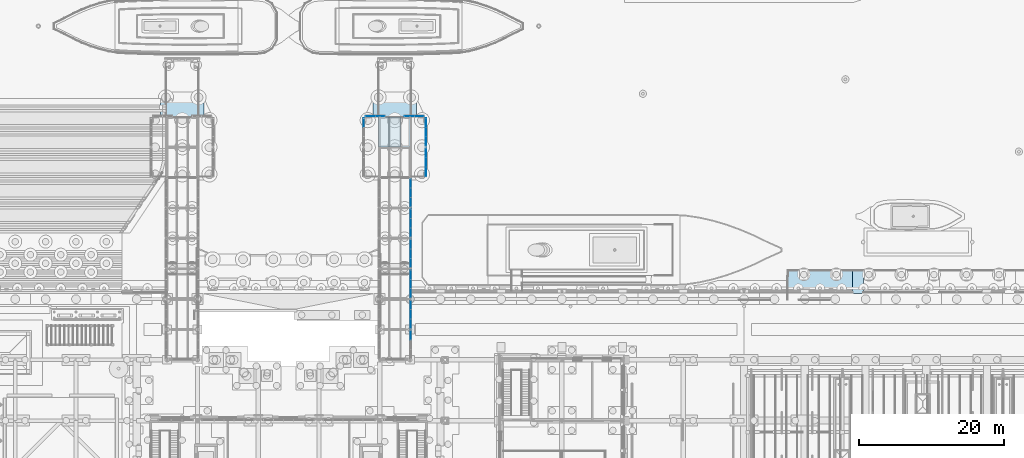
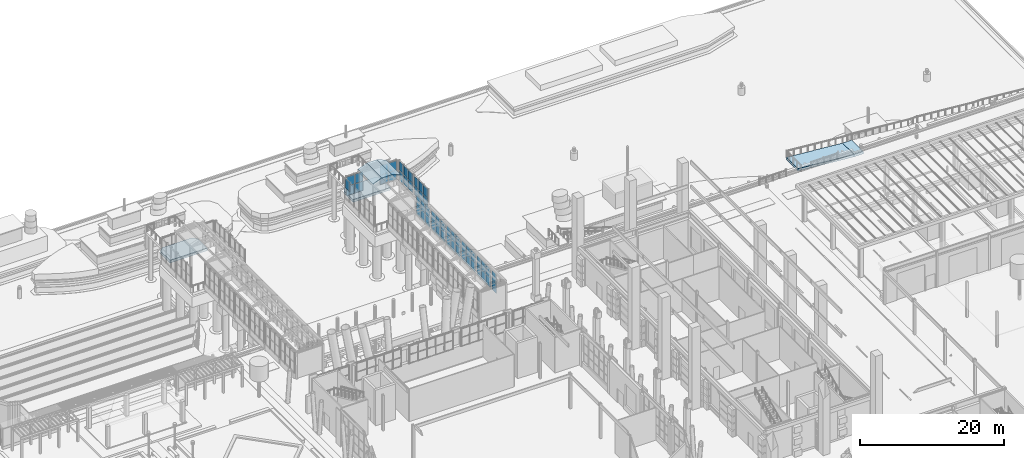
# One storey, part 86 of 222: 53 plates, 7 slabs, 11 elements without a shape of their own.
"""IFC4 building model written with IfcOpenShell, lengths in metres."""

from ifc_helpers import new_model, si_unit, direction, frame, origin, origin_2d, place, context, subcontext, project, spatial, polyline, rectangle, outline, extrude, material, layer, layer_set, type_object, element, aggregate, save


model = new_model("IFC4")

# Units and contexts
model_context = context("Model", 3, precision=1e-05, world=origin(), true_north=direction((0.0, 1.0)))
body_context = subcontext(model_context, "Body", "Model", "MODEL_VIEW")
ifc_project = project(units=[si_unit("LENGTHUNIT", "METRE"), si_unit("AREAUNIT", "SQUARE_METRE"), si_unit("VOLUMEUNIT", "CUBIC_METRE"), si_unit("PLANEANGLEUNIT", "RADIAN"), si_unit("MASSUNIT", "GRAM", prefix="KILO")], contexts=[model_context])

# Site, building, storey
site_placement = place(None, origin())
site = spatial("IfcSite", under=ifc_project, at=site_placement, CompositionType="ELEMENT")
building_placement = place(site_placement, origin())
building = spatial("IfcBuilding", under=site, at=building_placement, Name="Sava Quay Ferry Terminal", CompositionType="ELEMENT")
storey_placement = place(building_placement, origin())
storey = spatial("IfcBuildingStorey", under=building, at=storey_placement, Name="L00", CompositionType="ELEMENT", Elevation=0.0)

# Curtain wall, plates
ifc_material_1 = material(Name="Aluminium and glass curtain wall, double glazed", Category="aluminium")
curtain_wall_type = type_object("IfcCurtainWallType", Name="Curtain wall CW-B gallery", PredefinedType="NOTDEFINED", material=ifc_material_1)
curtain_wall_1_placement = place(storey_placement, origin())
curtain_wall_1 = element("IfcCurtainWall", 1, at=curtain_wall_1_placement, inside=storey, type_object=curtain_wall_type, Name="Curtain wall B2-E L00 bay 1", PredefinedType="NOTDEFINED")
ifc_material_2 = material(Name="Laminated glass, double glazed unit", Category="glass")
ifc_layer_1 = layer(ifc_material_2, 0.02392578125)
ifc_layer_set_1 = layer_set([ifc_layer_1], Name="Laminated glass, double glazed unit")
plate_type = type_object("IfcPlateType", Name="Glass panel 24 double", PredefinedType="CURTAIN_PANEL", material=ifc_layer_set_1)
plate_1_placement = place(storey_placement, frame((79.89990234375, 112.58740234375, 0.9501953125), z_axis=(0.0, 0.0, 1.0), x_axis=(0.0, 1.0, 0.0)))
plate_1 = element("IfcPlate", 2, at=plate_1_placement, type_object=plate_type, Name="CW19 panel 3.1", PredefinedType="CURTAIN_PANEL", context=body_context, shape_type="SweptSolid", body=[
    extrude(rectangle(XDim=1.22509765625, YDim=0.02392578125, at=origin_2d()), origin(), (0.0, 0.0, 1.0), 1.574951171875),
])
plate_2_placement = place(storey_placement, frame((79.89990234375, 112.58740234375, 2.5751953125), z_axis=(0.0, 0.0, 1.0), x_axis=(0.0, 1.0, 0.0)))
plate_2 = element("IfcPlate", 3, at=plate_2_placement, type_object=plate_type, Name="CW19 panel 3.2", PredefinedType="CURTAIN_PANEL", context=body_context, shape_type="SweptSolid", body=[
    extrude(rectangle(XDim=1.22509765625, YDim=0.02392578125, at=origin_2d()), origin(), (0.0, 0.0, 1.0), 1.574951171875),
])
aggregate(curtain_wall_1, [plate_1, plate_2])

curtain_wall_2_placement = place(storey_placement, origin())
curtain_wall_2 = element("IfcCurtainWall", 4, at=curtain_wall_2_placement, inside=storey, type_object=curtain_wall_type, Name="Curtain wall B2-E L00 bay 2", PredefinedType="NOTDEFINED")
plate_3_placement = place(storey_placement, frame((79.89990234375, 114.21240234375, 0.9501953125), z_axis=(0.0, 0.0, 1.0), x_axis=(0.0, 1.0, 0.0)))
plate_3 = element("IfcPlate", 5, at=plate_3_placement, type_object=plate_type, Name="CW20 panel 1.1", PredefinedType="CURTAIN_PANEL", context=body_context, shape_type="SweptSolid", body=[
    extrude(rectangle(XDim=1.22509765625, YDim=0.02392578125, at=origin_2d()), origin(), (0.0, 0.0, 1.0), 1.574951171875),
])
plate_4_placement = place(storey_placement, frame((79.89990234375, 114.21240234375, 2.5751953125), z_axis=(0.0, 0.0, 1.0), x_axis=(0.0, 1.0, 0.0)))
plate_4 = element("IfcPlate", 6, at=plate_4_placement, type_object=plate_type, Name="CW20 panel 1.2", PredefinedType="CURTAIN_PANEL", context=body_context, shape_type="SweptSolid", body=[
    extrude(rectangle(XDim=1.22509765625, YDim=0.02392578125, at=origin_2d()), origin(), (0.0, 0.0, 1.0), 1.574951171875),
])
plate_5_placement = place(storey_placement, frame((79.89990234375, 115.5, 0.9501953125), z_axis=(0.0, 0.0, 1.0), x_axis=(0.0, 1.0, 0.0)))
plate_5 = element("IfcPlate", 7, at=plate_5_placement, type_object=plate_type, Name="CW20 panel 2.1", PredefinedType="CURTAIN_PANEL", context=body_context, shape_type="SweptSolid", body=[
    extrude(rectangle(XDim=1.25, YDim=0.02392578125, at=origin_2d()), origin(), (0.0, 0.0, 1.0), 1.574951171875),
])
plate_6_placement = place(storey_placement, frame((79.89990234375, 115.5, 2.5751953125), z_axis=(0.0, 0.0, 1.0), x_axis=(0.0, 1.0, 0.0)))
plate_6 = element("IfcPlate", 8, at=plate_6_placement, type_object=plate_type, Name="CW20 panel 2.2", PredefinedType="CURTAIN_PANEL", context=body_context, shape_type="SweptSolid", body=[
    extrude(rectangle(XDim=1.25, YDim=0.02392578125, at=origin_2d()), origin(), (0.0, 0.0, 1.0), 1.574951171875),
])
plate_7_placement = place(storey_placement, frame((79.89990234375, 116.78759765625, 0.9501953125), z_axis=(0.0, 0.0, 1.0), x_axis=(0.0, 1.0, 0.0)))
plate_7 = element("IfcPlate", 9, at=plate_7_placement, type_object=plate_type, Name="CW20 panel 3.1", PredefinedType="CURTAIN_PANEL", context=body_context, shape_type="SweptSolid", body=[
    extrude(rectangle(XDim=1.22509765625, YDim=0.02392578125, at=origin_2d()), origin(), (0.0, 0.0, 1.0), 1.574951171875),
])
plate_8_placement = place(storey_placement, frame((79.89990234375, 116.78759765625, 2.5751953125), z_axis=(0.0, 0.0, 1.0), x_axis=(0.0, 1.0, 0.0)))
plate_8 = element("IfcPlate", 10, at=plate_8_placement, type_object=plate_type, Name="CW20 panel 3.2", PredefinedType="CURTAIN_PANEL", context=body_context, shape_type="SweptSolid", body=[
    extrude(rectangle(XDim=1.22509765625, YDim=0.02392578125, at=origin_2d()), origin(), (0.0, 0.0, 1.0), 1.574951171875),
])
aggregate(curtain_wall_2, [plate_3, plate_4, plate_5, plate_6, plate_7, plate_8])

curtain_wall_3_placement = place(storey_placement, origin())
curtain_wall_3 = element("IfcCurtainWall", 11, at=curtain_wall_3_placement, inside=storey, type_object=curtain_wall_type, Name="Curtain wall B2-E L00 bay 3", PredefinedType="NOTDEFINED")
plate_9_placement = place(storey_placement, frame((79.89990234375, 118.41259765625, 0.9501953125), z_axis=(0.0, 0.0, 1.0), x_axis=(0.0, 1.0, 0.0)))
plate_9 = element("IfcPlate", 12, at=plate_9_placement, type_object=plate_type, Name="CW21 panel 1.1", PredefinedType="CURTAIN_PANEL", context=body_context, shape_type="SweptSolid", body=[
    extrude(rectangle(XDim=1.22509765625, YDim=0.02392578125, at=origin_2d()), origin(), (0.0, 0.0, 1.0), 1.574951171875),
])
plate_10_placement = place(storey_placement, frame((79.89990234375, 118.41259765625, 2.5751953125), z_axis=(0.0, 0.0, 1.0), x_axis=(0.0, 1.0, 0.0)))
plate_10 = element("IfcPlate", 13, at=plate_10_placement, type_object=plate_type, Name="CW21 panel 1.2", PredefinedType="CURTAIN_PANEL", context=body_context, shape_type="SweptSolid", body=[
    extrude(rectangle(XDim=1.22509765625, YDim=0.02392578125, at=origin_2d()), origin(), (0.0, 0.0, 1.0), 1.574951171875),
])
plate_11_placement = place(storey_placement, frame((79.89990234375, 119.699951171875, 0.9501953125), z_axis=(0.0, 0.0, 1.0), x_axis=(0.0, 1.0, 0.0)))
plate_11 = element("IfcPlate", 14, at=plate_11_placement, type_object=plate_type, Name="CW21 panel 2.1", PredefinedType="CURTAIN_PANEL", context=body_context, shape_type="SweptSolid", body=[
    extrude(rectangle(XDim=1.25, YDim=0.02392578125, at=origin_2d()), origin(), (0.0, 0.0, 1.0), 1.574951171875),
])
plate_12_placement = place(storey_placement, frame((79.89990234375, 119.699951171875, 2.5751953125), z_axis=(0.0, 0.0, 1.0), x_axis=(0.0, 1.0, 0.0)))
plate_12 = element("IfcPlate", 15, at=plate_12_placement, type_object=plate_type, Name="CW21 panel 2.2", PredefinedType="CURTAIN_PANEL", context=body_context, shape_type="SweptSolid", body=[
    extrude(rectangle(XDim=1.25, YDim=0.02392578125, at=origin_2d()), origin(), (0.0, 0.0, 1.0), 1.574951171875),
])
plate_13_placement = place(storey_placement, frame((79.89990234375, 120.987548828125, 0.9501953125), z_axis=(0.0, 0.0, 1.0), x_axis=(0.0, 1.0, 0.0)))
plate_13 = element("IfcPlate", 16, at=plate_13_placement, type_object=plate_type, Name="CW21 panel 3.1", PredefinedType="CURTAIN_PANEL", context=body_context, shape_type="SweptSolid", body=[
    extrude(rectangle(XDim=1.22509765625, YDim=0.02392578125, at=origin_2d()), origin(), (0.0, 0.0, 1.0), 1.574951171875),
])
plate_14_placement = place(storey_placement, frame((79.89990234375, 120.987548828125, 2.5751953125), z_axis=(0.0, 0.0, 1.0), x_axis=(0.0, 1.0, 0.0)))
plate_14 = element("IfcPlate", 17, at=plate_14_placement, type_object=plate_type, Name="CW21 panel 3.2", PredefinedType="CURTAIN_PANEL", context=body_context, shape_type="SweptSolid", body=[
    extrude(rectangle(XDim=1.22509765625, YDim=0.02392578125, at=origin_2d()), origin(), (0.0, 0.0, 1.0), 1.574951171875),
])
aggregate(curtain_wall_3, [plate_9, plate_10, plate_11, plate_12, plate_13, plate_14])

curtain_wall_4_placement = place(storey_placement, origin())
curtain_wall_4 = element("IfcCurtainWall", 18, at=curtain_wall_4_placement, inside=storey, type_object=curtain_wall_type, Name="Curtain wall B2-E L00 bay 4", PredefinedType="NOTDEFINED")
plate_15_placement = place(storey_placement, frame((79.89990234375, 122.612548828125, 0.9501953125), z_axis=(0.0, 0.0, 1.0), x_axis=(0.0, 1.0, 0.0)))
plate_15 = element("IfcPlate", 19, at=plate_15_placement, type_object=plate_type, Name="CW22 panel 1.1", PredefinedType="CURTAIN_PANEL", context=body_context, shape_type="SweptSolid", body=[
    extrude(rectangle(XDim=1.22509765625, YDim=0.02392578125, at=origin_2d()), origin(), (0.0, 0.0, 1.0), 1.574951171875),
])
plate_16_placement = place(storey_placement, frame((79.89990234375, 122.612548828125, 2.5751953125), z_axis=(0.0, 0.0, 1.0), x_axis=(0.0, 1.0, 0.0)))
plate_16 = element("IfcPlate", 20, at=plate_16_placement, type_object=plate_type, Name="CW22 panel 1.2", PredefinedType="CURTAIN_PANEL", context=body_context, shape_type="SweptSolid", body=[
    extrude(rectangle(XDim=1.22509765625, YDim=0.02392578125, at=origin_2d()), origin(), (0.0, 0.0, 1.0), 1.574951171875),
])
plate_17_placement = place(storey_placement, frame((79.89990234375, 123.89990234375, 0.9501953125), z_axis=(0.0, 0.0, 1.0), x_axis=(0.0, 1.0, 0.0)))
plate_17 = element("IfcPlate", 21, at=plate_17_placement, type_object=plate_type, Name="CW22 panel 2.1", PredefinedType="CURTAIN_PANEL", context=body_context, shape_type="SweptSolid", body=[
    extrude(rectangle(XDim=1.25, YDim=0.02392578125, at=origin_2d()), origin(), (0.0, 0.0, 1.0), 1.574951171875),
])
plate_18_placement = place(storey_placement, frame((79.89990234375, 123.89990234375, 2.5751953125), z_axis=(0.0, 0.0, 1.0), x_axis=(0.0, 1.0, 0.0)))
plate_18 = element("IfcPlate", 22, at=plate_18_placement, type_object=plate_type, Name="CW22 panel 2.2", PredefinedType="CURTAIN_PANEL", context=body_context, shape_type="SweptSolid", body=[
    extrude(rectangle(XDim=1.25, YDim=0.02392578125, at=origin_2d()), origin(), (0.0, 0.0, 1.0), 1.574951171875),
])
plate_19_placement = place(storey_placement, frame((79.89990234375, 125.1875, 0.9501953125), z_axis=(0.0, 0.0, 1.0), x_axis=(0.0, 1.0, 0.0)))
plate_19 = element("IfcPlate", 23, at=plate_19_placement, type_object=plate_type, Name="CW22 panel 3.1", PredefinedType="CURTAIN_PANEL", context=body_context, shape_type="SweptSolid", body=[
    extrude(rectangle(XDim=1.22509765625, YDim=0.02392578125, at=origin_2d()), origin(), (0.0, 0.0, 1.0), 1.574951171875),
])
plate_20_placement = place(storey_placement, frame((79.89990234375, 125.1875, 2.5751953125), z_axis=(0.0, 0.0, 1.0), x_axis=(0.0, 1.0, 0.0)))
plate_20 = element("IfcPlate", 24, at=plate_20_placement, type_object=plate_type, Name="CW22 panel 3.2", PredefinedType="CURTAIN_PANEL", context=body_context, shape_type="SweptSolid", body=[
    extrude(rectangle(XDim=1.22509765625, YDim=0.02392578125, at=origin_2d()), origin(), (0.0, 0.0, 1.0), 1.574951171875),
])
aggregate(curtain_wall_4, [plate_15, plate_16, plate_17, plate_18, plate_19, plate_20])

curtain_wall_5_placement = place(storey_placement, origin())
curtain_wall_5 = element("IfcCurtainWall", 25, at=curtain_wall_5_placement, inside=storey, type_object=curtain_wall_type, Name="Curtain wall B2-E L00 bay 5", PredefinedType="NOTDEFINED")
plate_21_placement = place(storey_placement, frame((79.89990234375, 126.8125, 0.9501953125), z_axis=(0.0, 0.0, 1.0), x_axis=(0.0, 1.0, 0.0)))
plate_21 = element("IfcPlate", 26, at=plate_21_placement, type_object=plate_type, Name="CW23 panel 1.1", PredefinedType="CURTAIN_PANEL", context=body_context, shape_type="SweptSolid", body=[
    extrude(rectangle(XDim=1.22509765625, YDim=0.02392578125, at=origin_2d()), origin(), (0.0, 0.0, 1.0), 1.574951171875),
])
plate_22_placement = place(storey_placement, frame((79.89990234375, 126.8125, 2.5751953125), z_axis=(0.0, 0.0, 1.0), x_axis=(0.0, 1.0, 0.0)))
plate_22 = element("IfcPlate", 27, at=plate_22_placement, type_object=plate_type, Name="CW23 panel 1.2", PredefinedType="CURTAIN_PANEL", context=body_context, shape_type="SweptSolid", body=[
    extrude(rectangle(XDim=1.22509765625, YDim=0.02392578125, at=origin_2d()), origin(), (0.0, 0.0, 1.0), 1.574951171875),
])
plate_23_placement = place(storey_placement, frame((79.89990234375, 128.10009765625, 0.9501953125), z_axis=(0.0, 0.0, 1.0), x_axis=(0.0, 1.0, 0.0)))
plate_23 = element("IfcPlate", 28, at=plate_23_placement, type_object=plate_type, Name="CW23 panel 2.1", PredefinedType="CURTAIN_PANEL", context=body_context, shape_type="SweptSolid", body=[
    extrude(rectangle(XDim=1.25, YDim=0.02392578125, at=origin_2d()), origin(), (0.0, 0.0, 1.0), 1.574951171875),
])
plate_24_placement = place(storey_placement, frame((79.89990234375, 128.10009765625, 2.5751953125), z_axis=(0.0, 0.0, 1.0), x_axis=(0.0, 1.0, 0.0)))
plate_24 = element("IfcPlate", 29, at=plate_24_placement, type_object=plate_type, Name="CW23 panel 2.2", PredefinedType="CURTAIN_PANEL", context=body_context, shape_type="SweptSolid", body=[
    extrude(rectangle(XDim=1.25, YDim=0.02392578125, at=origin_2d()), origin(), (0.0, 0.0, 1.0), 1.574951171875),
])
plate_25_placement = place(storey_placement, frame((79.89990234375, 129.387451171875, 0.9501953125), z_axis=(0.0, 0.0, 1.0), x_axis=(0.0, 1.0, 0.0)))
plate_25 = element("IfcPlate", 30, at=plate_25_placement, type_object=plate_type, Name="CW23 panel 3.1", PredefinedType="CURTAIN_PANEL", context=body_context, shape_type="SweptSolid", body=[
    extrude(rectangle(XDim=1.22509765625, YDim=0.02392578125, at=origin_2d()), origin(), (0.0, 0.0, 1.0), 1.574951171875),
])
plate_26_placement = place(storey_placement, frame((79.89990234375, 129.387451171875, 2.5751953125), z_axis=(0.0, 0.0, 1.0), x_axis=(0.0, 1.0, 0.0)))
plate_26 = element("IfcPlate", 31, at=plate_26_placement, type_object=plate_type, Name="CW23 panel 3.2", PredefinedType="CURTAIN_PANEL", context=body_context, shape_type="SweptSolid", body=[
    extrude(rectangle(XDim=1.22509765625, YDim=0.02392578125, at=origin_2d()), origin(), (0.0, 0.0, 1.0), 1.574951171875),
])
aggregate(curtain_wall_5, [plate_21, plate_22, plate_23, plate_24, plate_25, plate_26])

curtain_wall_6_placement = place(storey_placement, origin())
curtain_wall_6 = element("IfcCurtainWall", 32, at=curtain_wall_6_placement, inside=storey, type_object=curtain_wall_type, Name="Curtain wall B2-E L00 bay 6", PredefinedType="NOTDEFINED")
plate_27_placement = place(storey_placement, frame((79.89990234375, 131.012451171875, 0.9501953125), z_axis=(0.0, 0.0, 1.0), x_axis=(0.0, 1.0, 0.0)))
plate_27 = element("IfcPlate", 33, at=plate_27_placement, type_object=plate_type, Name="CW24 panel 1.1", PredefinedType="CURTAIN_PANEL", context=body_context, shape_type="SweptSolid", body=[
    extrude(rectangle(XDim=1.22509765625, YDim=0.02392578125, at=origin_2d()), origin(), (0.0, 0.0, 1.0), 1.574951171875),
])
plate_28_placement = place(storey_placement, frame((79.89990234375, 131.012451171875, 2.5751953125), z_axis=(0.0, 0.0, 1.0), x_axis=(0.0, 1.0, 0.0)))
plate_28 = element("IfcPlate", 34, at=plate_28_placement, type_object=plate_type, Name="CW24 panel 1.2", PredefinedType="CURTAIN_PANEL", context=body_context, shape_type="SweptSolid", body=[
    extrude(rectangle(XDim=1.22509765625, YDim=0.02392578125, at=origin_2d()), origin(), (0.0, 0.0, 1.0), 1.574951171875),
])
plate_29_placement = place(storey_placement, frame((79.89990234375, 132.300048828125, 0.9501953125), z_axis=(0.0, 0.0, 1.0), x_axis=(0.0, 1.0, 0.0)))
plate_29 = element("IfcPlate", 35, at=plate_29_placement, type_object=plate_type, Name="CW24 panel 2.1", PredefinedType="CURTAIN_PANEL", context=body_context, shape_type="SweptSolid", body=[
    extrude(rectangle(XDim=1.25, YDim=0.02392578125, at=origin_2d()), origin(), (0.0, 0.0, 1.0), 1.574951171875),
])
plate_30_placement = place(storey_placement, frame((79.89990234375, 132.300048828125, 2.5751953125), z_axis=(0.0, 0.0, 1.0), x_axis=(0.0, 1.0, 0.0)))
plate_30 = element("IfcPlate", 36, at=plate_30_placement, type_object=plate_type, Name="CW24 panel 2.2", PredefinedType="CURTAIN_PANEL", context=body_context, shape_type="SweptSolid", body=[
    extrude(rectangle(XDim=1.25, YDim=0.02392578125, at=origin_2d()), origin(), (0.0, 0.0, 1.0), 1.574951171875),
])
plate_31_placement = place(storey_placement, frame((79.89990234375, 133.58740234375, 0.9501953125), z_axis=(0.0, 0.0, 1.0), x_axis=(0.0, 1.0, 0.0)))
plate_31 = element("IfcPlate", 37, at=plate_31_placement, type_object=plate_type, Name="CW24 panel 3.1", PredefinedType="CURTAIN_PANEL", context=body_context, shape_type="SweptSolid", body=[
    extrude(rectangle(XDim=1.22509765625, YDim=0.02392578125, at=origin_2d()), origin(), (0.0, 0.0, 1.0), 1.574951171875),
])
plate_32_placement = place(storey_placement, frame((79.89990234375, 133.58740234375, 2.5751953125), z_axis=(0.0, 0.0, 1.0), x_axis=(0.0, 1.0, 0.0)))
plate_32 = element("IfcPlate", 38, at=plate_32_placement, type_object=plate_type, Name="CW24 panel 3.2", PredefinedType="CURTAIN_PANEL", context=body_context, shape_type="SweptSolid", body=[
    extrude(rectangle(XDim=1.22509765625, YDim=0.02392578125, at=origin_2d()), origin(), (0.0, 0.0, 1.0), 1.574951171875),
])
aggregate(curtain_wall_6, [plate_27, plate_28, plate_29, plate_30, plate_31, plate_32])

curtain_wall_7_placement = place(storey_placement, origin())
curtain_wall_7 = element("IfcCurtainWall", 39, at=curtain_wall_7_placement, inside=storey, type_object=curtain_wall_type, Name="Curtain wall B2-HE L00 bay 1", PredefinedType="NOTDEFINED")
plate_33_placement = place(storey_placement, frame((82.0, 135.21240234375, 0.9501953125), z_axis=(0.0, 0.0, 1.0), x_axis=(0.0, 1.0, 0.0)))
plate_33 = element("IfcPlate", 40, at=plate_33_placement, type_object=plate_type, Name="CW25 panel 1.1", PredefinedType="CURTAIN_PANEL", context=body_context, shape_type="SweptSolid", body=[
    extrude(rectangle(XDim=1.22509765625, YDim=0.02392578125, at=origin_2d()), origin(), (0.0, 0.0, 1.0), 1.574951171875),
])
plate_34_placement = place(storey_placement, frame((82.0, 135.21240234375, 2.5751953125), z_axis=(0.0, 0.0, 1.0), x_axis=(0.0, 1.0, 0.0)))
plate_34 = element("IfcPlate", 41, at=plate_34_placement, type_object=plate_type, Name="CW25 panel 1.2", PredefinedType="CURTAIN_PANEL", context=body_context, shape_type="SweptSolid", body=[
    extrude(rectangle(XDim=1.22509765625, YDim=0.02392578125, at=origin_2d()), origin(), (0.0, 0.0, 1.0), 1.574951171875),
])
plate_35_placement = place(storey_placement, frame((82.0, 136.5, 0.9501953125), z_axis=(0.0, 0.0, 1.0), x_axis=(0.0, 1.0, 0.0)))
plate_35 = element("IfcPlate", 42, at=plate_35_placement, type_object=plate_type, Name="CW25 panel 2.1", PredefinedType="CURTAIN_PANEL", context=body_context, shape_type="SweptSolid", body=[
    extrude(rectangle(XDim=1.25, YDim=0.02392578125, at=origin_2d()), origin(), (0.0, 0.0, 1.0), 1.574951171875),
])
plate_36_placement = place(storey_placement, frame((82.0, 136.5, 2.5751953125), z_axis=(0.0, 0.0, 1.0), x_axis=(0.0, 1.0, 0.0)))
plate_36 = element("IfcPlate", 43, at=plate_36_placement, type_object=plate_type, Name="CW25 panel 2.2", PredefinedType="CURTAIN_PANEL", context=body_context, shape_type="SweptSolid", body=[
    extrude(rectangle(XDim=1.25, YDim=0.02392578125, at=origin_2d()), origin(), (0.0, 0.0, 1.0), 1.574951171875),
])
plate_37_placement = place(storey_placement, frame((82.0, 137.78759765625, 0.9501953125), z_axis=(0.0, 0.0, 1.0), x_axis=(0.0, 1.0, 0.0)))
plate_37 = element("IfcPlate", 44, at=plate_37_placement, type_object=plate_type, Name="CW25 panel 3.1", PredefinedType="CURTAIN_PANEL", context=body_context, shape_type="SweptSolid", body=[
    extrude(rectangle(XDim=1.22509765625, YDim=0.02392578125, at=origin_2d()), origin(), (0.0, 0.0, 1.0), 1.574951171875),
])
plate_38_placement = place(storey_placement, frame((82.0, 137.78759765625, 2.5751953125), z_axis=(0.0, 0.0, 1.0), x_axis=(0.0, 1.0, 0.0)))
plate_38 = element("IfcPlate", 45, at=plate_38_placement, type_object=plate_type, Name="CW25 panel 3.2", PredefinedType="CURTAIN_PANEL", context=body_context, shape_type="SweptSolid", body=[
    extrude(rectangle(XDim=1.22509765625, YDim=0.02392578125, at=origin_2d()), origin(), (0.0, 0.0, 1.0), 1.574951171875),
])
aggregate(curtain_wall_7, [plate_33, plate_34, plate_35, plate_36, plate_37, plate_38])

curtain_wall_8_placement = place(storey_placement, origin())
curtain_wall_8 = element("IfcCurtainWall", 46, at=curtain_wall_8_placement, inside=storey, type_object=curtain_wall_type, Name="Curtain wall B2-HE L00 bay 2", PredefinedType="NOTDEFINED")
plate_39_placement = place(storey_placement, frame((82.0, 139.41259765625, 0.9501953125), z_axis=(0.0, 0.0, 1.0), x_axis=(0.0, 1.0, 0.0)))
plate_39 = element("IfcPlate", 47, at=plate_39_placement, type_object=plate_type, Name="CW26 panel 1.1", PredefinedType="CURTAIN_PANEL", context=body_context, shape_type="SweptSolid", body=[
    extrude(rectangle(XDim=1.22509765625, YDim=0.02392578125, at=origin_2d()), origin(), (0.0, 0.0, 1.0), 1.574951171875),
])
plate_40_placement = place(storey_placement, frame((82.0, 139.41259765625, 2.5751953125), z_axis=(0.0, 0.0, 1.0), x_axis=(0.0, 1.0, 0.0)))
plate_40 = element("IfcPlate", 48, at=plate_40_placement, type_object=plate_type, Name="CW26 panel 1.2", PredefinedType="CURTAIN_PANEL", context=body_context, shape_type="SweptSolid", body=[
    extrude(rectangle(XDim=1.22509765625, YDim=0.02392578125, at=origin_2d()), origin(), (0.0, 0.0, 1.0), 1.574951171875),
])
plate_41_placement = place(storey_placement, frame((82.0, 140.699951171875, 0.9501953125), z_axis=(0.0, 0.0, 1.0), x_axis=(0.0, 1.0, 0.0)))
plate_41 = element("IfcPlate", 49, at=plate_41_placement, type_object=plate_type, Name="CW26 panel 2.1", PredefinedType="CURTAIN_PANEL", context=body_context, shape_type="SweptSolid", body=[
    extrude(rectangle(XDim=1.25, YDim=0.02392578125, at=origin_2d()), origin(), (0.0, 0.0, 1.0), 1.574951171875),
])
plate_42_placement = place(storey_placement, frame((82.0, 140.699951171875, 2.5751953125), z_axis=(0.0, 0.0, 1.0), x_axis=(0.0, 1.0, 0.0)))
plate_42 = element("IfcPlate", 50, at=plate_42_placement, type_object=plate_type, Name="CW26 panel 2.2", PredefinedType="CURTAIN_PANEL", context=body_context, shape_type="SweptSolid", body=[
    extrude(rectangle(XDim=1.25, YDim=0.02392578125, at=origin_2d()), origin(), (0.0, 0.0, 1.0), 1.574951171875),
])
plate_43_placement = place(storey_placement, frame((82.0, 141.987548828125, 0.9501953125), z_axis=(0.0, 0.0, 1.0), x_axis=(0.0, 1.0, 0.0)))
plate_43 = element("IfcPlate", 51, at=plate_43_placement, type_object=plate_type, Name="CW26 panel 3.1", PredefinedType="CURTAIN_PANEL", context=body_context, shape_type="SweptSolid", body=[
    extrude(rectangle(XDim=1.22509765625, YDim=0.02392578125, at=origin_2d()), origin(), (0.0, 0.0, 1.0), 1.574951171875),
])
plate_44_placement = place(storey_placement, frame((82.0, 141.987548828125, 2.5751953125), z_axis=(0.0, 0.0, 1.0), x_axis=(0.0, 1.0, 0.0)))
plate_44 = element("IfcPlate", 52, at=plate_44_placement, type_object=plate_type, Name="CW26 panel 3.2", PredefinedType="CURTAIN_PANEL", context=body_context, shape_type="SweptSolid", body=[
    extrude(rectangle(XDim=1.22509765625, YDim=0.02392578125, at=origin_2d()), origin(), (0.0, 0.0, 1.0), 1.574951171875),
])
aggregate(curtain_wall_8, [plate_39, plate_40, plate_41, plate_42, plate_43, plate_44])

curtain_wall_9_placement = place(storey_placement, origin())
curtain_wall_9 = element("IfcCurtainWall", 53, at=curtain_wall_9_placement, inside=storey, type_object=curtain_wall_type, Name="Curtain wall B2-HN L00 bay 1", PredefinedType="NOTDEFINED")
plate_45_placement = place(storey_placement, frame((74.33740234375, 142.89990234375, 0.9501953125), z_axis=(0.0, 0.0, 1.0), x_axis=(1.0, 0.0, 0.0)))
plate_45 = element("IfcPlate", 54, at=plate_45_placement, type_object=plate_type, Name="CW27 panel 1.1", PredefinedType="CURTAIN_PANEL", context=body_context, shape_type="SweptSolid", body=[
    extrude(rectangle(XDim=1.27490234375, YDim=0.02392578125, at=origin_2d()), origin(), (0.0, 0.0, 1.0), 1.574951171875),
])
plate_46_placement = place(storey_placement, frame((74.33740234375, 142.89990234375, 2.5751953125), z_axis=(0.0, 0.0, 1.0), x_axis=(1.0, 0.0, 0.0)))
plate_46 = element("IfcPlate", 55, at=plate_46_placement, type_object=plate_type, Name="CW27 panel 1.2", PredefinedType="CURTAIN_PANEL", context=body_context, shape_type="SweptSolid", body=[
    extrude(rectangle(XDim=1.27490234375, YDim=0.02392578125, at=origin_2d()), origin(), (0.0, 0.0, 1.0), 1.574951171875),
])
plate_47_placement = place(storey_placement, frame((75.66259765625, 142.89990234375, 0.9501953125), z_axis=(0.0, 0.0, 1.0), x_axis=(1.0, 0.0, 0.0)))
plate_47 = element("IfcPlate", 56, at=plate_47_placement, type_object=plate_type, Name="CW27 panel 2.1", PredefinedType="CURTAIN_PANEL", context=body_context, shape_type="SweptSolid", body=[
    extrude(rectangle(XDim=1.27490234375, YDim=0.02392578125, at=origin_2d()), origin(), (0.0, 0.0, 1.0), 1.574951171875),
])
plate_48_placement = place(storey_placement, frame((75.66259765625, 142.89990234375, 2.5751953125), z_axis=(0.0, 0.0, 1.0), x_axis=(1.0, 0.0, 0.0)))
plate_48 = element("IfcPlate", 57, at=plate_48_placement, type_object=plate_type, Name="CW27 panel 2.2", PredefinedType="CURTAIN_PANEL", context=body_context, shape_type="SweptSolid", body=[
    extrude(rectangle(XDim=1.27490234375, YDim=0.02392578125, at=origin_2d()), origin(), (0.0, 0.0, 1.0), 1.574951171875),
])
aggregate(curtain_wall_9, [plate_45, plate_46, plate_47, plate_48])

curtain_wall_10_placement = place(storey_placement, origin())
curtain_wall_10 = element("IfcCurtainWall", 58, at=curtain_wall_10_placement, inside=storey, type_object=curtain_wall_type, Name="Curtain wall B2-HN L00 bay 2", PredefinedType="NOTDEFINED")
plate_49_placement = place(storey_placement, frame((79.737548828125, 142.89990234375, 0.9501953125), z_axis=(0.0, 0.0, 1.0), x_axis=(1.0, 0.0, 0.0)))
plate_49 = element("IfcPlate", 59, at=plate_49_placement, type_object=plate_type, Name="CW28 panel 1.1", PredefinedType="CURTAIN_PANEL", context=body_context, shape_type="SweptSolid", body=[
    extrude(rectangle(XDim=1.27490234375, YDim=0.02392578125, at=origin_2d()), origin(), (0.0, 0.0, 1.0), 1.574951171875),
])
plate_50_placement = place(storey_placement, frame((79.737548828125, 142.89990234375, 2.5751953125), z_axis=(0.0, 0.0, 1.0), x_axis=(1.0, 0.0, 0.0)))
plate_50 = element("IfcPlate", 60, at=plate_50_placement, type_object=plate_type, Name="CW28 panel 1.2", PredefinedType="CURTAIN_PANEL", context=body_context, shape_type="SweptSolid", body=[
    extrude(rectangle(XDim=1.27490234375, YDim=0.02392578125, at=origin_2d()), origin(), (0.0, 0.0, 1.0), 1.574951171875),
])
plate_51_placement = place(storey_placement, frame((81.0625, 142.89990234375, 0.9501953125), z_axis=(0.0, 0.0, 1.0), x_axis=(1.0, 0.0, 0.0)))
plate_51 = element("IfcPlate", 61, at=plate_51_placement, type_object=plate_type, Name="CW28 panel 2.1", PredefinedType="CURTAIN_PANEL", context=body_context, shape_type="SweptSolid", body=[
    extrude(rectangle(XDim=1.27490234375, YDim=0.02392578125, at=origin_2d()), origin(), (0.0, 0.0, 1.0), 1.574951171875),
])
plate_52_placement = place(storey_placement, frame((81.0625, 142.89990234375, 2.5751953125), z_axis=(0.0, 0.0, 1.0), x_axis=(1.0, 0.0, 0.0)))
plate_52 = element("IfcPlate", 62, at=plate_52_placement, type_object=plate_type, Name="CW28 panel 2.2", PredefinedType="CURTAIN_PANEL", context=body_context, shape_type="SweptSolid", body=[
    extrude(rectangle(XDim=1.27490234375, YDim=0.02392578125, at=origin_2d()), origin(), (0.0, 0.0, 1.0), 1.574951171875),
])
aggregate(curtain_wall_10, [plate_49, plate_50, plate_51, plate_52])

# Curtain wall, plate
curtain_wall_11_placement = place(storey_placement, origin())
curtain_wall_11 = element("IfcCurtainWall", 63, at=curtain_wall_11_placement, inside=storey, type_object=curtain_wall_type, Name="Curtain wall B2-HW L00 bay 2", PredefinedType="NOTDEFINED")
plate_53_placement = place(storey_placement, frame((73.39990234375, 141.987548828125, 2.5751953125), z_axis=(0.0, 0.0, 1.0), x_axis=(0.0, 1.0, 0.0)))
plate_53 = element("IfcPlate", 64, at=plate_53_placement, type_object=plate_type, Name="CW30 panel 3.2", PredefinedType="CURTAIN_PANEL", context=body_context, shape_type="SweptSolid", body=[
    extrude(rectangle(XDim=1.22509765625, YDim=0.02392578125, at=origin_2d()), origin(), (0.0, 0.0, 1.0), 1.574951171875),
])
aggregate(curtain_wall_11, [plate_53])

# Slabs
ifc_material_3 = material(Name="Concrete C40/50", Category="concrete")
ifc_layer_2 = layer(ifc_material_3, 0.449951171875)
ifc_layer_set_2 = layer_set([ifc_layer_2], Name="Concrete C40/50")
slab_type_1 = type_object("IfcSlabType", Name="RC deck slab 450", PredefinedType="FLOOR", material=ifc_layer_set_2)
slab_1_placement = place(storey_placement, frame((0.0, 0.0, -0.449951171875)))
element("IfcSlab", 65, at=slab_1_placement, inside=storey, type_object=slab_type_1, Name="B1 gangway landing", PredefinedType="FLOOR", context=body_context, shape_type="SweptSolid", body=[
    extrude(outline(polyline([(45.300048828125, 142.800048828125), (51.300048828125, 142.800048828125), (51.300048828125, 145.39990234375), (50.699951171875, 146.0), (45.89990234375, 146.0), (45.300048828125, 145.39990234375), (45.300048828125, 142.800048828125)])), origin(), (0.0, 0.0, 1.0), 0.449951171875),
])
slab_2_placement = place(storey_placement, frame((0.0, 0.0, -0.449951171875)))
element("IfcSlab", 66, at=slab_2_placement, inside=storey, type_object=slab_type_1, Name="B2 gangway landing", PredefinedType="FLOOR", context=body_context, shape_type="SweptSolid", body=[
    extrude(outline(polyline([(74.699951171875, 142.800048828125), (80.699951171875, 142.800048828125), (80.699951171875, 145.39990234375), (80.10009765625, 146.0), (75.300048828125, 146.0), (74.699951171875, 145.39990234375), (74.699951171875, 142.800048828125)])), origin(), (0.0, 0.0, 1.0), 0.449951171875),
])
ifc_material_4 = material(Name="Concrete C40/50", Category="concrete")
ifc_layer_3 = layer(ifc_material_4, 0.39990234375)
ifc_layer_set_3 = layer_set([ifc_layer_3], Name="Concrete C40/50")
slab_type_2 = type_object("IfcSlabType", Name="RC ramp slab 400", PredefinedType="FLOOR", material=ifc_layer_set_3)
slab_3_placement = place(storey_placement, frame((132.0, 118.39990234375, 0.0), z_axis=(0.083045479854, 0.0, 0.996545758245), x_axis=(0.996545758245, 0.0, -0.083045479854)))
element("IfcSlab", 67, at=slab_3_placement, inside=storey, type_object=slab_type_2, Name="Quay ramp flight 1", PredefinedType="FLOOR", context=body_context, shape_type="SweptSolid", body=[
    extrude(outline(polyline([(0.0, 0.0), (9.031195934094223, 0.0), (9.031195934094223, 3.2001953125), (0.0, 3.2001953125), (0.0, 0.0)])), origin(), (0.0, 0.0, -1.0), 0.39990234375),
])
slab_4_placement = place(storey_placement, frame((0.0, 0.0, -1.14990234375)))
element("IfcSlab", 68, at=slab_4_placement, inside=storey, type_object=slab_type_2, Name="Quay ramp landing 1", PredefinedType="FLOOR", context=body_context, shape_type="SweptSolid", body=[
    extrude(outline(polyline([(141.0, 118.39990234375), (142.5, 118.39990234375), (142.5, 121.60009765625), (141.0, 121.60009765625), (141.0, 118.39990234375)])), origin(), (0.0, 0.0, 1.0), 0.39990234375),
])
ifc_material_5 = material(Name="Cross laminated timber C24", Category="wood")
ifc_layer_4 = layer(ifc_material_5, 0.10009765625)
ifc_layer_set_4 = layer_set([ifc_layer_4], Name="Cross laminated timber C24")
slab_type_3 = type_object("IfcSlabType", Name="Roof deck CLT 100", PredefinedType="ROOF", material=ifc_layer_set_4)
slab_5_placement = place(storey_placement, frame((75.44970703125, 138.610107421875, 4.942138671875), z_axis=(-0.342065251979, 0.0, 0.939676201353), x_axis=(0.939676201353, 0.0, 0.342065251979)))
element("IfcSlab", 69, at=slab_5_placement, inside=storey, type_object=slab_type_3, Name="Boarding gallery B2 roof deck bay 8 facet 1", PredefinedType="ROOF", context=body_context, shape_type="SweptSolid", body=[
    extrude(outline(polyline([(0.0, 0.0), (1.5209486168666146, 0.0), (1.5209486168666146, 4.179931640625), (0.0, 4.179931640625), (0.0, 0.0)])), origin(), (0.0, 0.0, -1.0), 0.10009765625),
])
slab_6_placement = place(storey_placement, frame((76.8984375, 138.610107421875, 5.4658203125), z_axis=(0.0, 0.0, 1.0), x_axis=(1.0, 0.0, 0.0)))
element("IfcSlab", 70, at=slab_6_placement, inside=storey, type_object=slab_type_3, Name="Boarding gallery B2 roof deck bay 8 facet 2", PredefinedType="ROOF", context=body_context, shape_type="SweptSolid", body=[
    extrude(outline(polyline([(0.0, 0.0), (1.603271484375, 0.0), (1.603271484375, 4.179931640625), (0.0, 4.179931640625), (0.0, 0.0)])), origin(), (0.0, 0.0, -1.0), 0.10009765625),
])
slab_7_placement = place(storey_placement, frame((78.52099609375, 138.610107421875, 5.46240234375), z_axis=(0.342065251979, 0.0, 0.939676201353), x_axis=(0.939676201353, 0.0, -0.342065251979)))
element("IfcSlab", 71, at=slab_7_placement, inside=storey, type_object=slab_type_3, Name="Boarding gallery B2 roof deck bay 8 facet 3", PredefinedType="ROOF", context=body_context, shape_type="SweptSolid", body=[
    extrude(outline(polyline([(0.0, 0.0), (1.5209486168666146, 0.0), (1.5209486168666146, 4.179931640625), (0.0, 4.179931640625), (0.0, 0.0)])), origin(), (0.0, 0.0, -1.0), 0.10009765625),
])

save(model, "model.ifc")
